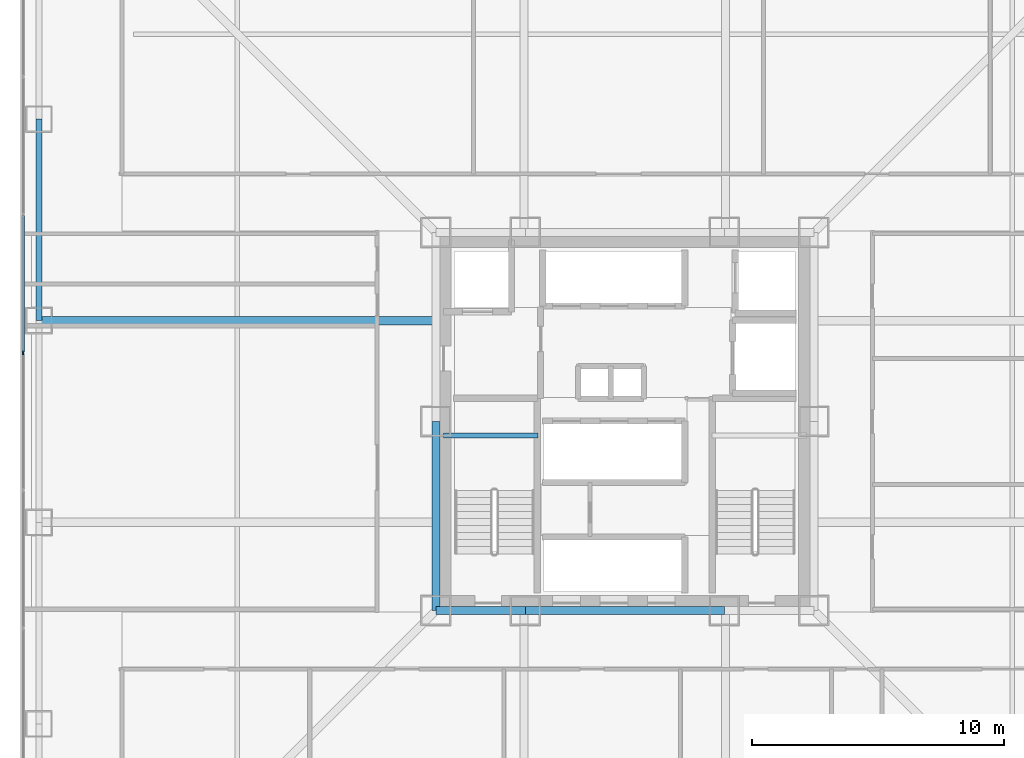
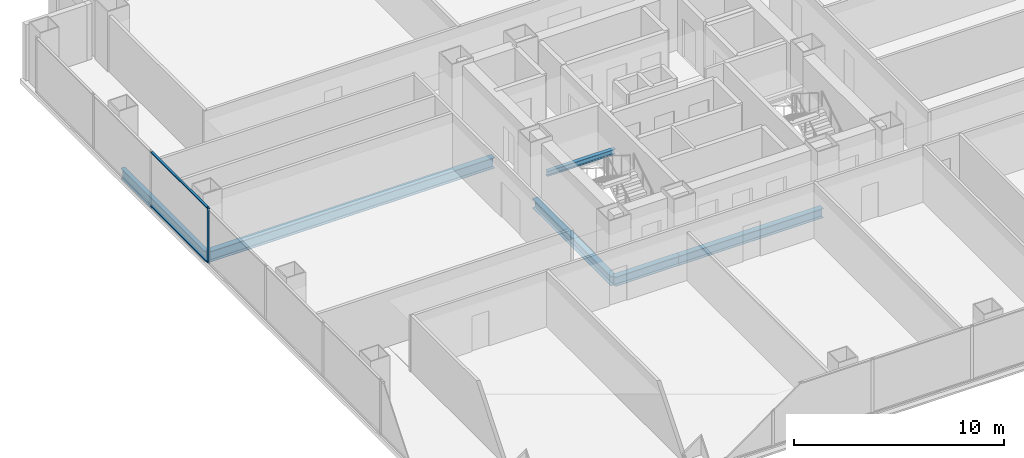
# One storey, part 6 of 19: 6 beams, 3 members, 1 element without a shape of its own.
"""IFC4 building model written with IfcOpenShell, lengths in metres."""

from ifc_helpers import new_model, si_unit, direction, frame, origin, origin_2d, place, context, subcontext, project, spatial, rectangle, i_section, extrude, material, layer, layer_set, material_profile, profile_set, type_object, element, aggregate, save


model = new_model("IFC4")

# Units and contexts
model_context = context("Model", 3, precision=1e-05, world=origin(), true_north=direction((0.0, 1.0)))
body_context = subcontext(model_context, "Body", "Model", "MODEL_VIEW")
ifc_project = project(units=[si_unit("LENGTHUNIT", "METRE"), si_unit("AREAUNIT", "SQUARE_METRE"), si_unit("VOLUMEUNIT", "CUBIC_METRE"), si_unit("PLANEANGLEUNIT", "RADIAN"), si_unit("MASSUNIT", "GRAM", prefix="KILO")], contexts=[model_context])

# Site, building, storey
site_placement = place(None, origin())
site = spatial("IfcSite", under=ifc_project, at=site_placement, CompositionType="ELEMENT")
building_placement = place(site_placement, origin())
building = spatial("IfcBuilding", under=site, at=building_placement, Name="Trevonay Congress Spire", CompositionType="ELEMENT")
storey_placement = place(building_placement, frame((0.0, 0.0, 41.0)))
storey = spatial("IfcBuildingStorey", under=building, at=storey_placement, Name="L09", CompositionType="ELEMENT", Elevation=41.0)

# Beams
ifc_material_1 = material(Name="Steel ASTM A572 Grade 50", Category="steel")
ifc_material_profile_1 = material_profile(ifc_material_1, i_section(OverallWidth=0.31201171875, OverallDepth=0.54296875, WebThickness=0.0126953125, FlangeThickness=0.020263671875, FilletRadius=0.014892578125, at=origin_2d()), Name="W530x150")
ifc_profile_set_1 = profile_set([ifc_material_profile_1], Name="Steel ASTM A572 Grade 50")
beam_type_1 = type_object("IfcBeamType", Name="BM-GIRD-W530X150", PredefinedType="BEAM", material=ifc_profile_set_1)
beam_1_placement = place(storey_placement, frame((-7.5, -7.5, -0.521484375), z_axis=(1.0, 0.0, 0.0), x_axis=(0.0, 1.0, 0.0)))
element("IfcBeam", 1, at=beam_1_placement, inside=storey, type_object=beam_type_1, Name="L09 structural beam BM-L09-CR-S1", PredefinedType="BEAM", context=body_context, shape_type="SweptSolid", body=[
    extrude(i_section(OverallWidth=0.31201171875, OverallDepth=0.54296875, WebThickness=0.0126953125, FlangeThickness=0.020263671875, FilletRadius=0.014892578125, at=origin_2d()), origin(), (0.0, 0.0, 1.0), 3.550048828125),
])
beam_2_placement = place(storey_placement, frame((-3.949951171875, -7.5, -0.521484375), z_axis=(1.0, 0.0, 0.0), x_axis=(0.0, 1.0, 0.0)))
element("IfcBeam", 2, at=beam_2_placement, inside=storey, type_object=beam_type_1, Name="L09 structural beam BM-L09-CR-S2", PredefinedType="BEAM", context=body_context, shape_type="SweptSolid", body=[
    extrude(i_section(OverallWidth=0.31201171875, OverallDepth=0.54296875, WebThickness=0.0126953125, FlangeThickness=0.020263671875, FilletRadius=0.014892578125, at=origin_2d()), origin(), (0.0, 0.0, 1.0), 7.89990234375),
])
beam_3_placement = place(storey_placement, frame((-7.5, -7.5, -0.521484375), z_axis=(0.0, 1.0, 0.0), x_axis=(-1.0, 0.0, 0.0)))
element("IfcBeam", 3, at=beam_3_placement, inside=storey, type_object=beam_type_1, Name="L09 structural beam BM-L09-CR-W1", PredefinedType="BEAM", context=body_context, shape_type="SweptSolid", body=[
    extrude(i_section(OverallWidth=0.31201171875, OverallDepth=0.54296875, WebThickness=0.0126953125, FlangeThickness=0.020263671875, FilletRadius=0.014892578125, at=origin_2d()), origin(), (0.0, 0.0, 1.0), 7.5),
])
ifc_material_profile_2 = material_profile(ifc_material_1, i_section(OverallWidth=0.324951171875, OverallDepth=0.615966796875, WebThickness=0.013916015625, FlangeThickness=0.021484375, FilletRadius=0.01806640625, at=origin_2d()), Name="W610x174")
ifc_profile_set_2 = profile_set([ifc_material_profile_2], Name="Steel ASTM A572 Grade 50")
beam_type_2 = type_object("IfcBeamType", Name="BM-GIRD-W610X174", PredefinedType="BEAM", material=ifc_profile_set_2)
beam_4_placement = place(storey_placement, frame((-7.5, 4.0, -0.55810546875), z_axis=(-1.0, 0.0, 0.0), x_axis=(0.0, -1.0, 0.0)))
element("IfcBeam", 4, at=beam_4_placement, inside=storey, type_object=beam_type_2, Name="L09 structural beam BM-L09-GW-P", PredefinedType="BEAM", context=body_context, shape_type="SweptSolid", body=[
    extrude(i_section(OverallWidth=0.324951171875, OverallDepth=0.615966796875, WebThickness=0.013916015625, FlangeThickness=0.021484375, FilletRadius=0.01806640625, at=origin_2d()), origin(), (0.0, 0.0, 1.0), 15.75),
])
ifc_material_profile_3 = material_profile(ifc_material_1, i_section(OverallWidth=0.22998046875, OverallDepth=0.616943359375, WebThickness=0.01318359375, FlangeThickness=0.022216796875, FilletRadius=0.01611328125, at=origin_2d()), Name="W610x140")
ifc_profile_set_3 = profile_set([ifc_material_profile_3], Name="Steel ASTM A572 Grade 50")
beam_type_3 = type_object("IfcBeamType", Name="BM-RING-W610X140", PredefinedType="BEAM", material=ifc_profile_set_3)
beam_5_placement = place(storey_placement, frame((-23.25, 4.0, -0.55859375), z_axis=(0.0, 1.0, 0.0), x_axis=(-1.0, 0.0, 0.0)))
element("IfcBeam", 5, at=beam_5_placement, inside=storey, type_object=beam_type_3, Name="L09 structural beam BM-L09-PW4", PredefinedType="BEAM", context=body_context, shape_type="SweptSolid", body=[
    extrude(i_section(OverallWidth=0.22998046875, OverallDepth=0.616943359375, WebThickness=0.01318359375, FlangeThickness=0.022216796875, FilletRadius=0.01611328125, at=origin_2d()), origin(), (0.0, 0.0, 1.0), 8.0),
])

# Curtain wall, members
ifc_material_2 = material(Name="Pale Anodised Aluminium EN AW-6063-T6", Category="aluminium")
ifc_layer = layer(ifc_material_2, 0.179931640625, Name="Pale Anodised Aluminium EN AW-6063-T6")
ifc_layer_set = layer_set([ifc_layer], Name="Pale Anodised Aluminium EN AW-6063-T6")
curtain_wall_type = type_object("IfcCurtainWallType", Name="CW-SYS02-HOTEL-PALE-METAL", PredefinedType="NOTDEFINED", material=ifc_layer_set)
curtain_wall_placement = place(storey_placement, origin())
curtain_wall = element("IfcCurtainWall", 6, at=curtain_wall_placement, inside=storey, type_object=curtain_wall_type, Name="L09 W unitised curtain wall", PredefinedType="NOTDEFINED")
ifc_material_profile_4 = material_profile(ifc_material_2, rectangle(XDim=0.06005859375, YDim=0.159912109375, at=origin_2d()), Name="CW-MULLION-160-ALUMINIUM")
ifc_profile_set_4 = profile_set([ifc_material_profile_4], Name="Pale Anodised Aluminium EN AW-6063-T6")
member_type_1 = type_object("IfcMemberType", Name="CW-MULLION-160-ALUMINIUM", PredefinedType="MULLION", material=ifc_profile_set_4)
member_1_placement = place(storey_placement, frame((-23.8798828125, 2.735595703125, 0.0), z_axis=(0.0, 0.0, 1.0), x_axis=(-1.0, 0.0, 0.0)))
member_1 = element("IfcMember", 7, at=member_1_placement, type_object=member_type_1, Name="CW02 mullion 5", PredefinedType="MULLION", context=body_context, shape_type="SweptSolid", body=[
    extrude(rectangle(XDim=0.06005859375, YDim=0.159912109375, at=origin_2d()), origin(), (0.0, 0.0, 1.0), 3.25),
])
ifc_material_profile_5 = material_profile(ifc_material_2, rectangle(XDim=0.1201171875, YDim=0.06005859375, at=origin_2d()), Name="CW-TRANSOM-120-ALUMINIUM")
ifc_profile_set_5 = profile_set([ifc_material_profile_5], Name="Pale Anodised Aluminium EN AW-6063-T6")
member_type_2 = type_object("IfcMemberType", Name="CW-TRANSOM-120-ALUMINIUM", PredefinedType="USERDEFINED", material=ifc_profile_set_5)
member_2_placement = place(storey_placement, frame((-23.8798828125, 2.765625, 0.06005859375), z_axis=(0.0, 1.0, 0.0), x_axis=(-1.0, 0.0, 0.0)))
member_2 = element("IfcMember", 8, at=member_2_placement, type_object=member_type_2, Name="CW02 transom 5.1", ObjectType="TRANSOM", PredefinedType="USERDEFINED", context=body_context, shape_type="SweptSolid", body=[
    extrude(rectangle(XDim=0.1201171875, YDim=0.06005859375, at=origin_2d()), origin(), (0.0, 0.0, 1.0), 5.41162109375),
])
member_3_placement = place(storey_placement, frame((-23.8798828125, 2.765625, 3.18994140625), z_axis=(0.0, 1.0, 0.0), x_axis=(-1.0, 0.0, 0.0)))
member_3 = element("IfcMember", 9, at=member_3_placement, type_object=member_type_2, Name="CW02 transom 5.2", ObjectType="TRANSOM", PredefinedType="USERDEFINED", context=body_context, shape_type="SweptSolid", body=[
    extrude(rectangle(XDim=0.1201171875, YDim=0.06005859375, at=origin_2d()), origin(), (0.0, 0.0, 1.0), 5.41162109375),
])
aggregate(curtain_wall, [member_1, member_2, member_3])

# Beam
ifc_material_profile_6 = material_profile(ifc_material_1, i_section(OverallWidth=0.2041015625, OverallDepth=0.305908203125, WebThickness=0.008544921875, FlangeThickness=0.0146484375, FilletRadius=0.010986328125, at=origin_2d()), Name="W310x67")
ifc_profile_set_6 = profile_set([ifc_material_profile_6], Name="Steel ASTM A572 Grade 50")
beam_type_4 = type_object("IfcBeamType", Name="LN-CORE-W310X67", PredefinedType="LINTEL", material=ifc_profile_set_6)
beam_6_placement = place(storey_placement, frame((-7.199951171875, -0.550048828125, 1.39697265625), z_axis=(1.0, 0.0, 0.0), x_axis=(0.0, 1.0, 0.0)))
element("IfcBeam", 10, at=beam_6_placement, inside=storey, type_object=beam_type_4, Name="L09 structural beam BM-L09-HL-ST1", PredefinedType="LINTEL", context=body_context, shape_type="SweptSolid", body=[
    extrude(i_section(OverallWidth=0.2041015625, OverallDepth=0.305908203125, WebThickness=0.008544921875, FlangeThickness=0.0146484375, FilletRadius=0.010986328125, at=origin_2d()), origin(), (0.0, 0.0, 1.0), 3.75),
])

save(model, "model.ifc")
